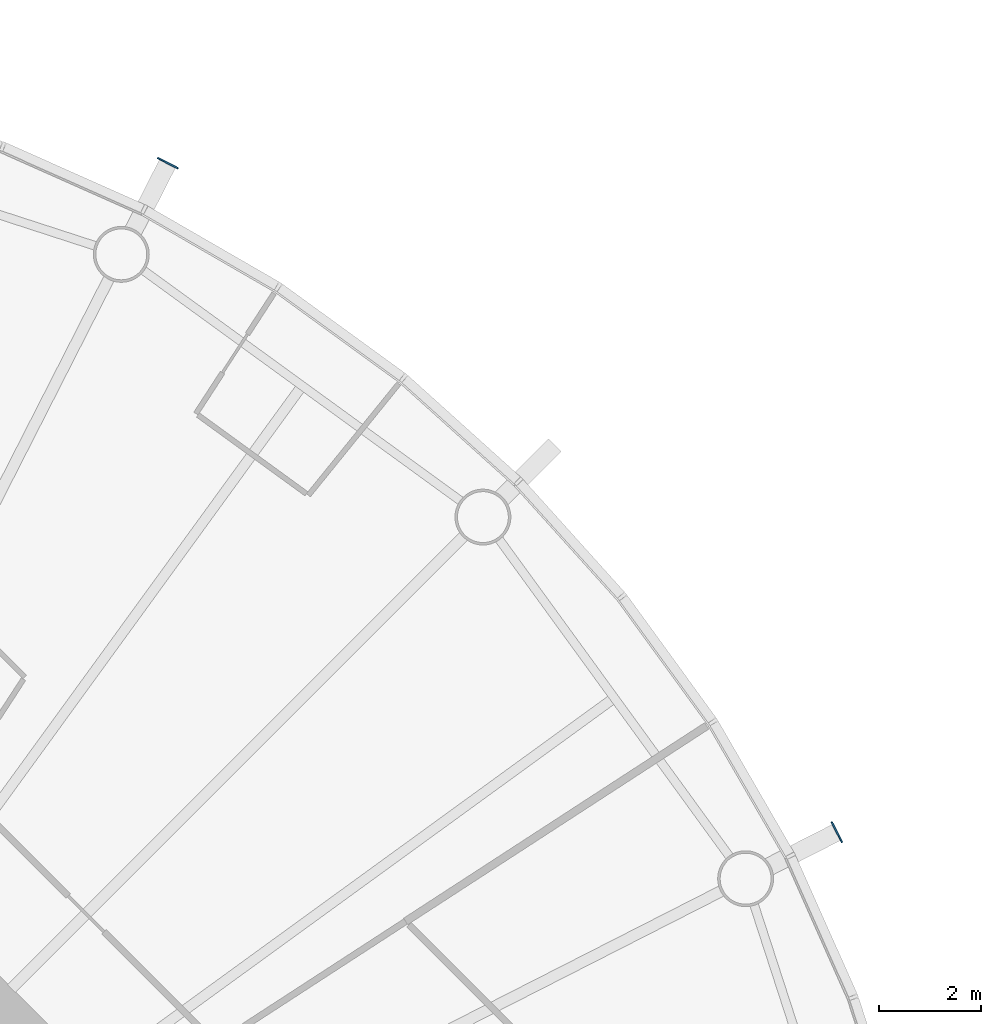
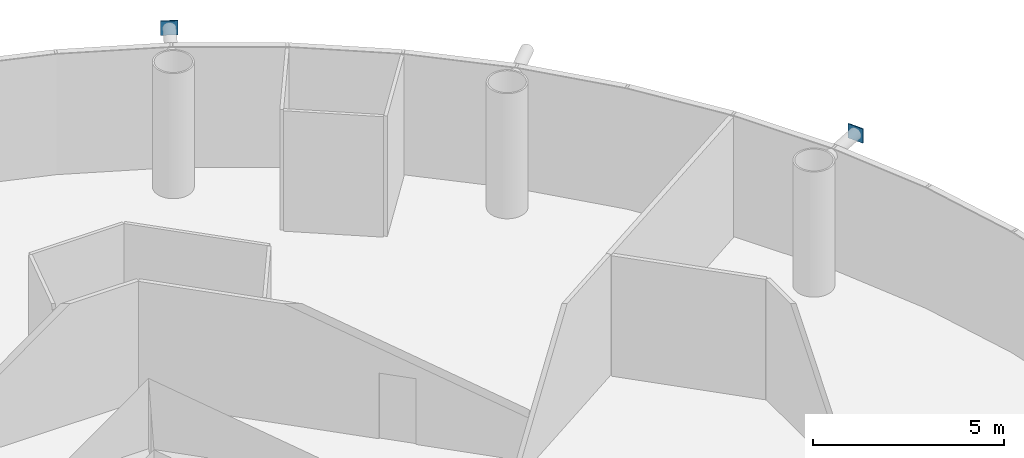
# One storey, part 10 of 17: 2 discrete accessories.
"""IFC4 building model written with IfcOpenShell, lengths in metres."""

from ifc_helpers import new_model, si_unit, direction, frame, origin, origin_2d, place, context, subcontext, project, spatial, rectangle, extrude, material, element, save


model = new_model("IFC4")

# Units and contexts
model_context = context("Model", 3, precision=1e-05, world=origin(), true_north=direction((0.0, 1.0)))
body_context = subcontext(model_context, "Body", "Model", "MODEL_VIEW")
ifc_project = project(units=[si_unit("LENGTHUNIT", "METRE"), si_unit("AREAUNIT", "SQUARE_METRE"), si_unit("VOLUMEUNIT", "CUBIC_METRE"), si_unit("PLANEANGLEUNIT", "RADIAN"), si_unit("MASSUNIT", "GRAM", prefix="KILO")], contexts=[model_context])

# Site, building, storey
site_placement = place(None, origin())
site = spatial("IfcSite", under=ifc_project, at=site_placement, CompositionType="ELEMENT")
building_placement = place(site_placement, origin())
building = spatial("IfcBuilding", under=site, at=building_placement, Name="Entoto Ring Tower", CompositionType="ELEMENT")
storey_placement = place(building_placement, frame((0.0, 0.0, 176.0)))
storey = spatial("IfcBuildingStorey", under=building, at=storey_placement, Name="L40", CompositionType="ELEMENT", Elevation=176.0)

# Discrete accessories
ifc_material = material(Name="Steel S355", Category="steel")
for number, where, z_axis, x_axis, name in (
    (1, (116.832763671875, 93.671875, 3.4443359375), (0.0, 0.0, 1.0), (0.891006524188, 0.45399049974, 0.0), "Node strut end plate DS1 ring 12 02"),
    (2, (103.671875, 106.832763671875, 3.4443359375), (0.0, 0.0, 1.0), (0.45399049974, 0.891006524188, 0.0), "Node strut end plate DS1 ring 12 04"),
):
    element("IfcDiscreteAccessory", number, at=place(storey_placement, frame(where, z_axis=z_axis, x_axis=x_axis)), inside=storey, material=ifc_material, Name=name, PredefinedType="BRACKET", context=body_context, shape_type="SweptSolid", body=[
        extrude(rectangle(XDim=0.030029296875, YDim=0.45556640625, at=origin_2d()), origin(), (0.0, 0.0, 1.0), 0.45556640625),
    ])

save(model, "model.ifc")
